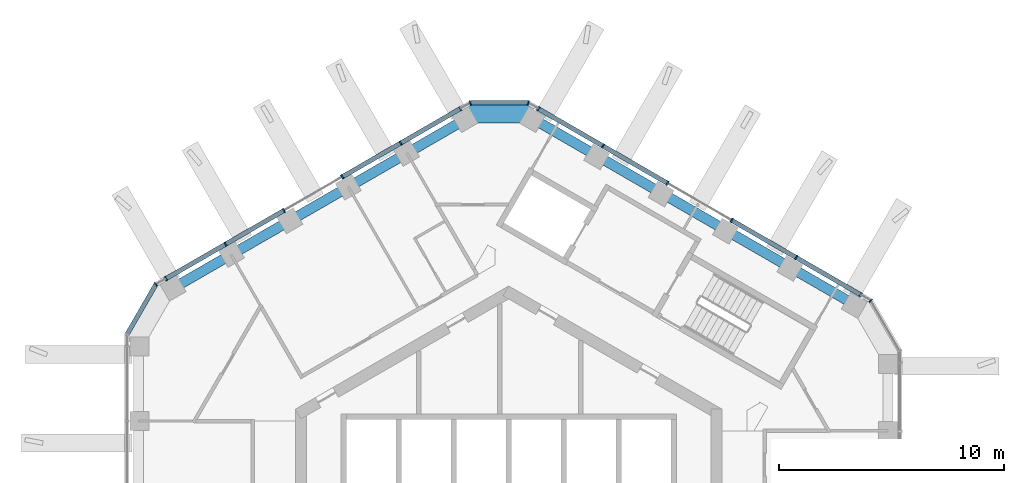
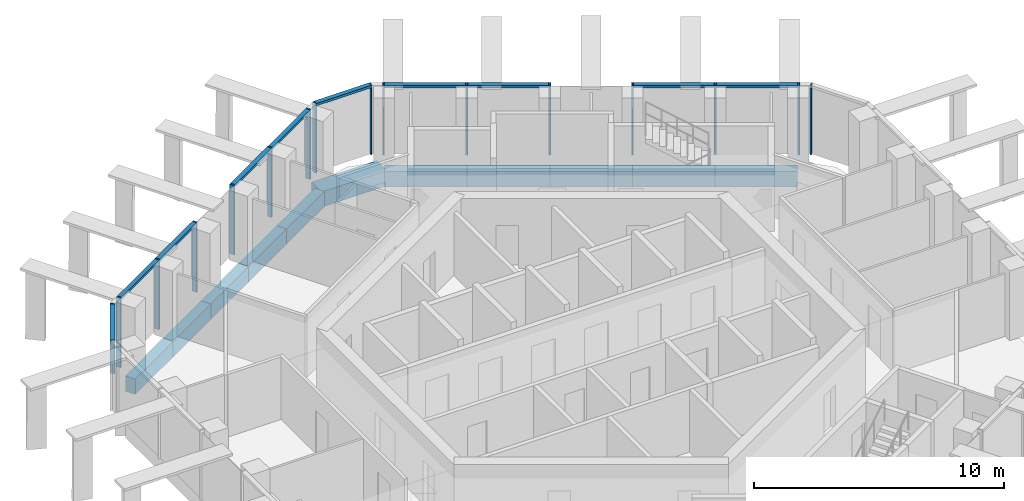
# One storey, part 5 of 18: 22 members, 11 beams, 5 elements without a shape of their own.
"""IFC4 building model written with IfcOpenShell, lengths in metres."""

from ifc_helpers import new_model, si_unit, direction, frame, origin, origin_2d, place, context, subcontext, project, spatial, rectangle, extrude, material, layer, layer_set, material_profile, profile_set, type_object, element, aggregate, save


model = new_model("IFC4")

# Units and contexts
model_context = context("Model", 3, precision=1e-05, world=origin(), true_north=direction((0.0, 1.0)))
body_context = subcontext(model_context, "Body", "Model", "MODEL_VIEW")
ifc_project = project(units=[si_unit("LENGTHUNIT", "METRE"), si_unit("AREAUNIT", "SQUARE_METRE"), si_unit("VOLUMEUNIT", "CUBIC_METRE"), si_unit("PLANEANGLEUNIT", "RADIAN"), si_unit("MASSUNIT", "GRAM", prefix="KILO")], contexts=[model_context])

# Site, building, storey
site_placement = place(None, origin())
site = spatial("IfcSite", under=ifc_project, at=site_placement, CompositionType="ELEMENT")
building_placement = place(site_placement, origin())
building = spatial("IfcBuilding", under=site, at=building_placement, Name="Ayvan Gate Tower", CompositionType="ELEMENT")
storey_placement = place(building_placement, frame((0.0, 0.0, 242.699951171875)))
storey = spatial("IfcBuildingStorey", under=building, at=storey_placement, Name="L65", CompositionType="ELEMENT", Elevation=242.699951171875)

# Beams
ifc_material_1 = material(Name="Concrete C40/50", Category="concrete")
ifc_material_profile_1 = material_profile(ifc_material_1, rectangle(XDim=0.800048828125, YDim=0.75, at=origin_2d()), Name="RC 800x750")
ifc_profile_set_1 = profile_set([ifc_material_profile_1], Name="Concrete C40/50")
beam_type_1 = type_object("IfcBeamType", Name="Corner spandrel beam RC 800x750 C40/50", PredefinedType="BEAM", material=ifc_profile_set_1)
beam_1_placement = place(storey_placement, frame((1.09716796875, 18.621337890625, -0.724853515625), z_axis=(-1.0, 0.0, 0.0), x_axis=(0.0, -1.0, 0.0)))
element("IfcBeam", 1, at=beam_1_placement, inside=storey, type_object=beam_type_1, Name="SB-L65-12", PredefinedType="BEAM", context=body_context, shape_type="SweptSolid", body=[
    extrude(rectangle(XDim=0.800048828125, YDim=0.75, at=origin_2d()), origin(), (0.0, 0.0, 1.0), 3.0),
])
ifc_material_profile_2 = material_profile(ifc_material_1, rectangle(XDim=0.449951171875, YDim=0.75, at=origin_2d()), Name="RC 450x750")
ifc_profile_set_2 = profile_set([ifc_material_profile_2], Name="Concrete C40/50")
beam_type_2 = type_object("IfcBeamType", Name="Spandrel beam RC 450x750 C40/50", PredefinedType="BEAM", material=ifc_profile_set_2)
beam_2_placement = place(storey_placement, frame((15.387451171875, 10.15087890625, -0.724853515625), z_axis=(-0.866008176907, 0.50002983664, 0.0), x_axis=(-0.50002983664, -0.866008176907, 0.0)))
element("IfcBeam", 2, at=beam_2_placement, inside=storey, type_object=beam_type_2, Name="SB-L65-7", PredefinedType="BEAM", context=body_context, shape_type="SweptSolid", body=[
    extrude(rectangle(XDim=0.449951171875, YDim=0.75, at=origin_2d()), origin(), (0.0, 0.0, 1.0), 3.300048828125),
])
for number, where, z_axis, x_axis, name in (
    (3, (12.529541015625, 11.801025390625, -0.724853515625), (-0.8660266723, 0.49999780286, 0.0), (-0.49999780286, -0.8660266723, 0.0), "SB-L65-8"),
    (4, (9.67138671875, 13.451171875, -0.724853515625), (-0.8660266723, 0.49999780286, 0.0), (-0.49999780286, -0.8660266723, 0.0), "SB-L65-9"),
):
    element("IfcBeam", number, at=place(storey_placement, frame(where, z_axis=z_axis, x_axis=x_axis)), inside=storey, type_object=beam_type_2, Name=name, PredefinedType="BEAM", context=body_context, shape_type="SweptSolid", body=[
        extrude(rectangle(XDim=0.449951171875, YDim=0.75, at=origin_2d()), origin(), (0.0, 0.0, 1.0), 3.30029296875),
    ])
beam_3_placement = place(storey_placement, frame((6.813232421875, 15.101318359375, -0.724853515625), z_axis=(-0.866040211805, 0.499974350878, 0.0), x_axis=(-0.499974350878, -0.866040211805, 0.0)))
element("IfcBeam", 5, at=beam_3_placement, inside=storey, type_object=beam_type_2, Name="SB-L65-10", PredefinedType="BEAM", context=body_context, shape_type="SweptSolid", body=[
    extrude(rectangle(XDim=0.449951171875, YDim=0.75, at=origin_2d()), origin(), (0.0, 0.0, 1.0), 3.300048828125),
])
beam_4_placement = place(storey_placement, frame((3.955322265625, 16.751220703125, -0.724853515625), z_axis=(-0.8660266723, 0.49999780286, 0.0), x_axis=(-0.49999780286, -0.8660266723, 0.0)))
element("IfcBeam", 6, at=beam_4_placement, inside=storey, type_object=beam_type_2, Name="SB-L65-11", PredefinedType="BEAM", context=body_context, shape_type="SweptSolid", body=[
    extrude(rectangle(XDim=0.449951171875, YDim=0.75, at=origin_2d()), origin(), (0.0, 0.0, 1.0), 3.30029296875),
])
beam_5_placement = place(storey_placement, frame((-1.90283203125, 18.4013671875, -0.724853515625), z_axis=(-0.866021396379, -0.500006940966, 0.0), x_axis=(0.500006940966, -0.866021396379, 0.0)))
element("IfcBeam", 7, at=beam_5_placement, inside=storey, type_object=beam_type_2, Name="SB-L65-13", PredefinedType="BEAM", context=body_context, shape_type="SweptSolid", body=[
    extrude(rectangle(XDim=0.449951171875, YDim=0.75, at=origin_2d()), origin(), (0.0, 0.0, 1.0), 3.02099609375),
])
for number, where, z_axis, x_axis, name in (
    (8, (-4.51904296875, 16.890869140625, -0.724853515625), (-0.866041598752, -0.499971948444, 0.0), (0.499971948444, -0.866041598752, 0.0), "SB-L65-14"),
    (9, (-7.135498046875, 15.38037109375, -0.724853515625), (-0.866006607564, -0.500032554596, 0.0), (0.500032554596, -0.866006607564, 0.0), "SB-L65-15"),
    (10, (-9.751953125, 13.86962890625, -0.724853515625), (-0.866041598752, -0.499971948444, 0.0), (0.499971948444, -0.866041598752, 0.0), "SB-L65-16"),
):
    element("IfcBeam", number, at=place(storey_placement, frame(where, z_axis=z_axis, x_axis=x_axis)), inside=storey, type_object=beam_type_2, Name=name, PredefinedType="BEAM", context=body_context, shape_type="SweptSolid", body=[
        extrude(rectangle(XDim=0.449951171875, YDim=0.75, at=origin_2d()), origin(), (0.0, 0.0, 1.0), 3.021240234375),
    ])
beam_6_placement = place(storey_placement, frame((-12.368408203125, 12.359130859375, -0.724853515625), z_axis=(-0.866021396379, -0.500006940966, 0.0), x_axis=(0.500006940966, -0.866021396379, 0.0)))
element("IfcBeam", 11, at=beam_6_placement, inside=storey, type_object=beam_type_2, Name="SB-L65-17", PredefinedType="BEAM", context=body_context, shape_type="SweptSolid", body=[
    extrude(rectangle(XDim=0.449951171875, YDim=0.75, at=origin_2d()), origin(), (0.0, 0.0, 1.0), 3.02099609375),
])

# Curtain wall, members
ifc_material_2 = material(Name="Bronze anodised aluminium", Category="aluminium")
ifc_layer_1 = layer(ifc_material_2, 0.199951171875)
ifc_layer_set_1 = layer_set([ifc_layer_1], Name="Bronze anodised aluminium")
curtain_wall_type_1 = type_object("IfcCurtainWallType", Name="Stick curtain wall CW-2", PredefinedType="NOTDEFINED", material=ifc_layer_set_1)
curtain_wall_1_placement = place(storey_placement, origin())
curtain_wall_1 = element("IfcCurtainWall", 12, at=curtain_wall_1_placement, inside=storey, type_object=curtain_wall_type_1, Name="Stick curtain wall CW-2 L65", PredefinedType="NOTDEFINED")
ifc_material_profile_3 = material_profile(ifc_material_2, rectangle(XDim=0.199951171875, YDim=0.070068359375, at=origin_2d()), Name="Stick curtain wall CW-2 mullion 200 x 70")
ifc_profile_set_3 = profile_set([ifc_material_profile_3], Name="Bronze anodised aluminium")
member_type_1 = type_object("IfcMemberType", Name="Stick curtain wall CW-2 mullion 200 x 70", PredefinedType="MULLION", material=ifc_profile_set_3)
member_1_placement = place(storey_placement, frame((-2.1484375, 18.865966796875, 0.0), z_axis=(0.0, 0.0, 1.0), x_axis=(-0.5, 0.866025403784, 0.0)))
member_1 = element("IfcMember", 13, at=member_1_placement, type_object=member_type_1, Name="CW-2 mullion 1", PredefinedType="MULLION", context=body_context, shape_type="SweptSolid", body=[
    extrude(rectangle(XDim=0.199951171875, YDim=0.070068359375, at=origin_2d()), origin(), (0.0, 0.0, 1.0), 3.400146484375),
])
member_2_placement = place(storey_placement, frame((-4.80712890625, 17.330810546875, 0.0), z_axis=(0.0, 0.0, 1.0), x_axis=(-0.5, 0.866025403784, 0.0)))
member_2 = element("IfcMember", 14, at=member_2_placement, type_object=member_type_1, Name="CW-2 mullion 2", PredefinedType="MULLION", context=body_context, shape_type="SweptSolid", body=[
    extrude(rectangle(XDim=0.199951171875, YDim=0.070068359375, at=origin_2d()), origin(), (0.0, 0.0, 1.0), 3.400146484375),
])
member_3_placement = place(storey_placement, frame((-7.406982421875, 15.829833984375, 0.0), z_axis=(0.0, 0.0, 1.0), x_axis=(-0.5, 0.866025403784, 0.0)))
member_3 = element("IfcMember", 15, at=member_3_placement, type_object=member_type_1, Name="CW-2 mullion 3", PredefinedType="MULLION", context=body_context, shape_type="SweptSolid", body=[
    extrude(rectangle(XDim=0.199951171875, YDim=0.070068359375, at=origin_2d()), origin(), (0.0, 0.0, 1.0), 3.400146484375),
])
member_4_placement = place(storey_placement, frame((-10.005859375, 14.329345703125, 0.0), z_axis=(0.0, 0.0, 1.0), x_axis=(-0.5, 0.866025403784, 0.0)))
member_4 = element("IfcMember", 16, at=member_4_placement, type_object=member_type_1, Name="CW-2 mullion 4", PredefinedType="MULLION", context=body_context, shape_type="SweptSolid", body=[
    extrude(rectangle(XDim=0.199951171875, YDim=0.070068359375, at=origin_2d()), origin(), (0.0, 0.0, 1.0), 3.400146484375),
])
member_5_placement = place(storey_placement, frame((-12.605712890625, 12.828369140625, 0.0), z_axis=(0.0, 0.0, 1.0), x_axis=(-0.5, 0.866025403784, 0.0)))
member_5 = element("IfcMember", 17, at=member_5_placement, type_object=member_type_1, Name="CW-2 mullion 5", PredefinedType="MULLION", context=body_context, shape_type="SweptSolid", body=[
    extrude(rectangle(XDim=0.199951171875, YDim=0.070068359375, at=origin_2d()), origin(), (0.0, 0.0, 1.0), 3.400146484375),
])
member_6_placement = place(storey_placement, frame((-15.26416015625, 11.29345703125, 0.0), z_axis=(0.0, 0.0, 1.0), x_axis=(-0.5, 0.866025403784, 0.0)))
member_6 = element("IfcMember", 18, at=member_6_placement, type_object=member_type_1, Name="CW-2 mullion 6", PredefinedType="MULLION", context=body_context, shape_type="SweptSolid", body=[
    extrude(rectangle(XDim=0.199951171875, YDim=0.070068359375, at=origin_2d()), origin(), (0.0, 0.0, 1.0), 3.400146484375),
])

curtain_wall_2_placement = place(storey_placement, origin())
curtain_wall_2 = element("IfcCurtainWall", 19, at=curtain_wall_2_placement, inside=storey, type_object=curtain_wall_type_1, Name="Stick curtain wall CW-2 L65", PredefinedType="NOTDEFINED")
member_7_placement = place(storey_placement, frame((15.679443359375, 10.573974609375, 0.0), z_axis=(0.0, 0.0, 1.0), x_axis=(0.5, 0.866025403784, 0.0)))
member_7 = element("IfcMember", 20, at=member_7_placement, type_object=member_type_1, Name="CW-2 mullion 1", PredefinedType="MULLION", context=body_context, shape_type="SweptSolid", body=[
    extrude(rectangle(XDim=0.199951171875, YDim=0.070068359375, at=origin_2d()), origin(), (0.0, 0.0, 1.0), 3.400146484375),
])
member_8_placement = place(storey_placement, frame((12.79833984375, 12.237548828125, 0.0), z_axis=(0.0, 0.0, 1.0), x_axis=(0.5, 0.866025403784, 0.0)))
member_8 = element("IfcMember", 21, at=member_8_placement, type_object=member_type_1, Name="CW-2 mullion 2", PredefinedType="MULLION", context=body_context, shape_type="SweptSolid", body=[
    extrude(rectangle(XDim=0.199951171875, YDim=0.070068359375, at=origin_2d()), origin(), (0.0, 0.0, 1.0), 3.400146484375),
])
member_9_placement = place(storey_placement, frame((9.931640625, 13.892333984375, 0.0), z_axis=(0.0, 0.0, 1.0), x_axis=(0.5, 0.866025403784, 0.0)))
member_9 = element("IfcMember", 22, at=member_9_placement, type_object=member_type_1, Name="CW-2 mullion 3", PredefinedType="MULLION", context=body_context, shape_type="SweptSolid", body=[
    extrude(rectangle(XDim=0.199951171875, YDim=0.070068359375, at=origin_2d()), origin(), (0.0, 0.0, 1.0), 3.400146484375),
])
member_10_placement = place(storey_placement, frame((7.065185546875, 15.54736328125, 0.0), z_axis=(0.0, 0.0, 1.0), x_axis=(0.5, 0.866025403784, 0.0)))
member_10 = element("IfcMember", 23, at=member_10_placement, type_object=member_type_1, Name="CW-2 mullion 4", PredefinedType="MULLION", context=body_context, shape_type="SweptSolid", body=[
    extrude(rectangle(XDim=0.199951171875, YDim=0.070068359375, at=origin_2d()), origin(), (0.0, 0.0, 1.0), 3.400146484375),
])
member_11_placement = place(storey_placement, frame((4.19873046875, 17.202392578125, 0.0), z_axis=(0.0, 0.0, 1.0), x_axis=(0.5, 0.866025403784, 0.0)))
member_11 = element("IfcMember", 24, at=member_11_placement, type_object=member_type_1, Name="CW-2 mullion 5", PredefinedType="MULLION", context=body_context, shape_type="SweptSolid", body=[
    extrude(rectangle(XDim=0.199951171875, YDim=0.070068359375, at=origin_2d()), origin(), (0.0, 0.0, 1.0), 3.400146484375),
])
member_12_placement = place(storey_placement, frame((1.317626953125, 18.865966796875, 0.0), z_axis=(0.0, 0.0, 1.0), x_axis=(0.5, 0.866025403784, 0.0)))
member_12 = element("IfcMember", 25, at=member_12_placement, type_object=member_type_1, Name="CW-2 mullion 6", PredefinedType="MULLION", context=body_context, shape_type="SweptSolid", body=[
    extrude(rectangle(XDim=0.199951171875, YDim=0.070068359375, at=origin_2d()), origin(), (0.0, 0.0, 1.0), 3.400146484375),
])

# Member
ifc_material_profile_4 = material_profile(ifc_material_2, rectangle(XDim=0.199951171875, YDim=0.1201171875, at=origin_2d()), Name="Stick curtain wall CW-2 transom 200 x 120")
ifc_profile_set_4 = profile_set([ifc_material_profile_4], Name="Bronze anodised aluminium")
member_type_2 = type_object("IfcMemberType", Name="Stick curtain wall CW-2 transom 200 x 120", PredefinedType="USERDEFINED", material=ifc_profile_set_4)
member_13_placement = place(storey_placement, frame((-2.1484375, 18.865966796875, 3.340087890625), z_axis=(-0.866014522945, -0.500018845694, 0.0), x_axis=(0.500018845694, -0.866014522945, 0.0)))
member_13 = element("IfcMember", 26, at=member_13_placement, type_object=member_type_2, Name="CW-2 transom 1", ObjectType="TRANSOM", PredefinedType="USERDEFINED", context=body_context, shape_type="SweptSolid", body=[
    extrude(rectangle(XDim=0.199951171875, YDim=0.1201171875, at=origin_2d()), origin(), (0.0, 0.0, 1.0), 6.036865234375),
])

member_14_placement = place(storey_placement, frame((-10.0361328125, 14.311767578125, 3.340087890625), z_axis=(-0.866032034896, -0.499988514403, 0.0), x_axis=(0.499988514403, -0.866032034896, 0.0)))
member_14 = element("IfcMember", 27, at=member_14_placement, type_object=member_type_2, Name="CW-2 transom 2", ObjectType="TRANSOM", PredefinedType="USERDEFINED", context=body_context, shape_type="SweptSolid", body=[
    extrude(rectangle(XDim=0.199951171875, YDim=0.1201171875, at=origin_2d()), origin(), (0.0, 0.0, 1.0), 6.036865234375),
])

aggregate(curtain_wall_1, [member_1, member_2, member_3, member_4, member_5, member_6, member_13, member_14])

member_15_placement = place(storey_placement, frame((15.679443359375, 10.573974609375, 3.340087890625), z_axis=(-0.866015613246, 0.500016957327, 0.0), x_axis=(-0.500016957327, -0.866015613246, 0.0)))
member_15 = element("IfcMember", 28, at=member_15_placement, type_object=member_type_2, Name="CW-2 transom 1", ObjectType="TRANSOM", PredefinedType="USERDEFINED", context=body_context, shape_type="SweptSolid", body=[
    extrude(rectangle(XDim=0.199951171875, YDim=0.1201171875, at=origin_2d()), origin(), (0.0, 0.0, 1.0), 6.601806640625),
])

member_16_placement = place(storey_placement, frame((7.034912109375, 15.56494140625, 3.340087890625), z_axis=(-0.866015613246, 0.500016957327, 0.0), x_axis=(-0.500016957327, -0.866015613246, 0.0)))
member_16 = element("IfcMember", 29, at=member_16_placement, type_object=member_type_2, Name="CW-2 transom 2", ObjectType="TRANSOM", PredefinedType="USERDEFINED", context=body_context, shape_type="SweptSolid", body=[
    extrude(rectangle(XDim=0.199951171875, YDim=0.1201171875, at=origin_2d()), origin(), (0.0, 0.0, 1.0), 6.601806640625),
])

aggregate(curtain_wall_2, [member_7, member_8, member_9, member_10, member_11, member_12, member_15, member_16])

# Curtain wall, member
ifc_layer_2 = layer(ifc_material_2, 0.199951171875)
ifc_layer_set_2 = layer_set([ifc_layer_2], Name="Bronze anodised aluminium")
curtain_wall_type_2 = type_object("IfcCurtainWallType", Name="Stick curtain wall CW-6", PredefinedType="NOTDEFINED", material=ifc_layer_set_2)
curtain_wall_3_placement = place(storey_placement, origin())
curtain_wall_3 = element("IfcCurtainWall", 30, at=curtain_wall_3_placement, inside=storey, type_object=curtain_wall_type_2, Name="Stick curtain wall CW-6 L65", PredefinedType="NOTDEFINED")
ifc_material_profile_5 = material_profile(ifc_material_2, rectangle(XDim=0.199951171875, YDim=0.050048828125, at=origin_2d()), Name="Stick curtain wall CW-6 mullion 200 x 50")
ifc_profile_set_5 = profile_set([ifc_material_profile_5], Name="Bronze anodised aluminium")
member_type_3 = type_object("IfcMemberType", Name="Stick curtain wall CW-6 mullion 200 x 50", PredefinedType="MULLION", material=ifc_profile_set_5)
member_17_placement = place(storey_placement, frame((-15.705810546875, 11.03857421875, 0.0), z_axis=(0.0, 0.0, 1.0), x_axis=(-0.707106781187, 0.707106781187, 0.0)))
member_17 = element("IfcMember", 31, at=member_17_placement, type_object=member_type_3, Name="CW-6 mullion 2", PredefinedType="MULLION", context=body_context, shape_type="SweptSolid", body=[
    extrude(rectangle(XDim=0.199951171875, YDim=0.050048828125, at=origin_2d()), origin(), (0.0, 0.0, 1.0), 3.400146484375),
])

curtain_wall_4_placement = place(storey_placement, origin())
curtain_wall_4 = element("IfcCurtainWall", 32, at=curtain_wall_4_placement, inside=storey, type_object=curtain_wall_type_2, Name="Stick curtain wall CW-6 L65", PredefinedType="NOTDEFINED")
member_18_placement = place(storey_placement, frame((16.12109375, 10.31884765625, 0.0), z_axis=(0.0, 0.0, 1.0), x_axis=(0.707106781187, 0.707106781187, 0.0)))
member_18 = element("IfcMember", 33, at=member_18_placement, type_object=member_type_3, Name="CW-6 mullion 3", PredefinedType="MULLION", context=body_context, shape_type="SweptSolid", body=[
    extrude(rectangle(XDim=0.199951171875, YDim=0.050048828125, at=origin_2d()), origin(), (0.0, 0.0, 1.0), 3.400146484375),
])
aggregate(curtain_wall_4, [member_18])

# Curtain wall, members
curtain_wall_5_placement = place(storey_placement, origin())
curtain_wall_5 = element("IfcCurtainWall", 34, at=curtain_wall_5_placement, inside=storey, type_object=curtain_wall_type_2, Name="Stick curtain wall CW-6 L65", PredefinedType="NOTDEFINED")
member_19_placement = place(storey_placement, frame((0.875732421875, 19.120849609375, 0.0), z_axis=(0.0, 0.0, 1.0), x_axis=(0.258819045103, 0.965925826289, 0.0)))
member_19 = element("IfcMember", 35, at=member_19_placement, type_object=member_type_3, Name="CW-6 mullion 2", PredefinedType="MULLION", context=body_context, shape_type="SweptSolid", body=[
    extrude(rectangle(XDim=0.199951171875, YDim=0.050048828125, at=origin_2d()), origin(), (0.0, 0.0, 1.0), 3.400146484375),
])
member_20_placement = place(storey_placement, frame((-1.706787109375, 19.120849609375, 0.0), z_axis=(0.0, 0.0, 1.0), x_axis=(-0.258819045103, 0.965925826289, 0.0)))
member_20 = element("IfcMember", 36, at=member_20_placement, type_object=member_type_3, Name="CW-6 mullion 3", PredefinedType="MULLION", context=body_context, shape_type="SweptSolid", body=[
    extrude(rectangle(XDim=0.199951171875, YDim=0.050048828125, at=origin_2d()), origin(), (0.0, 0.0, 1.0), 3.400146484375),
])

# Member
ifc_material_profile_6 = material_profile(ifc_material_2, rectangle(XDim=0.199951171875, YDim=0.1201171875, at=origin_2d()), Name="Stick curtain wall CW-6 transom 200 x 120")
ifc_profile_set_6 = profile_set([ifc_material_profile_6], Name="Bronze anodised aluminium")
member_type_4 = type_object("IfcMemberType", Name="Stick curtain wall CW-6 transom 200 x 120", PredefinedType="USERDEFINED", material=ifc_profile_set_6)
member_21_placement = place(storey_placement, frame((-15.71826171875, 11.016845703125, 3.340087890625), z_axis=(-0.500006158363, -0.866021848223, 0.0), x_axis=(0.866021848223, -0.500006158363, 0.0)))
member_21 = element("IfcMember", 37, at=member_21_placement, type_object=member_type_4, Name="CW-6 transom 2", ObjectType="TRANSOM", PredefinedType="USERDEFINED", context=body_context, shape_type="SweptSolid", body=[
    extrude(rectangle(XDim=0.199951171875, YDim=0.1201171875, at=origin_2d()), origin(), (0.0, 0.0, 1.0), 2.53271484375),
])

aggregate(curtain_wall_3, [member_17, member_21])

member_22_placement = place(storey_placement, frame((0.850830078125, 19.120849609375, 3.340087890625), z_axis=(-1.0, 0.0, 0.0), x_axis=(0.0, -1.0, 0.0)))
member_22 = element("IfcMember", 38, at=member_22_placement, type_object=member_type_4, Name="CW-6 transom 2", ObjectType="TRANSOM", PredefinedType="USERDEFINED", context=body_context, shape_type="SweptSolid", body=[
    extrude(rectangle(XDim=0.199951171875, YDim=0.1201171875, at=origin_2d()), origin(), (0.0, 0.0, 1.0), 2.532470703125),
])

aggregate(curtain_wall_5, [member_19, member_20, member_22])

save(model, "model.ifc")
